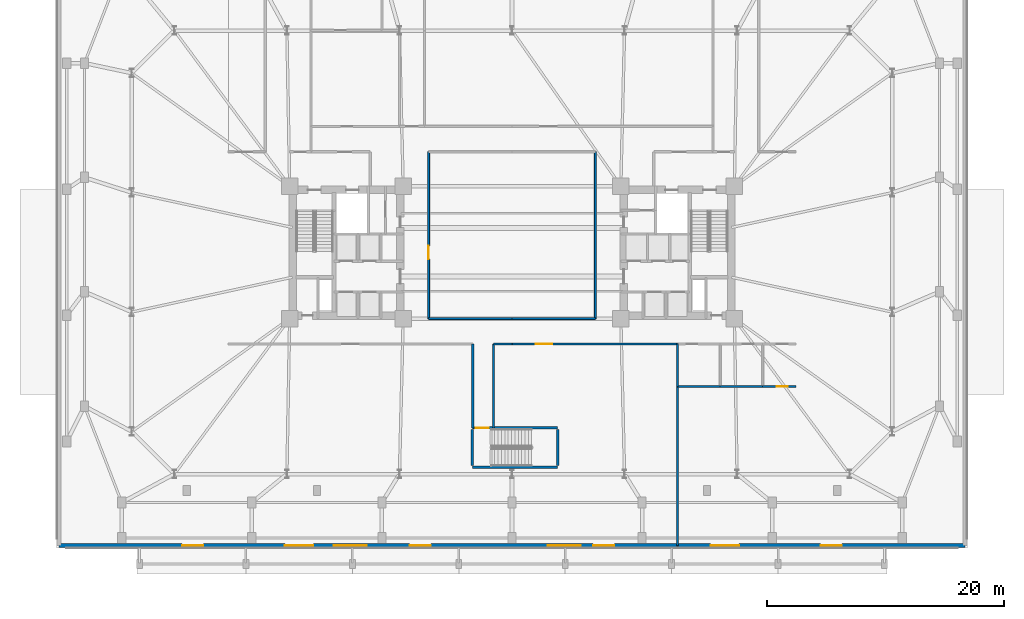
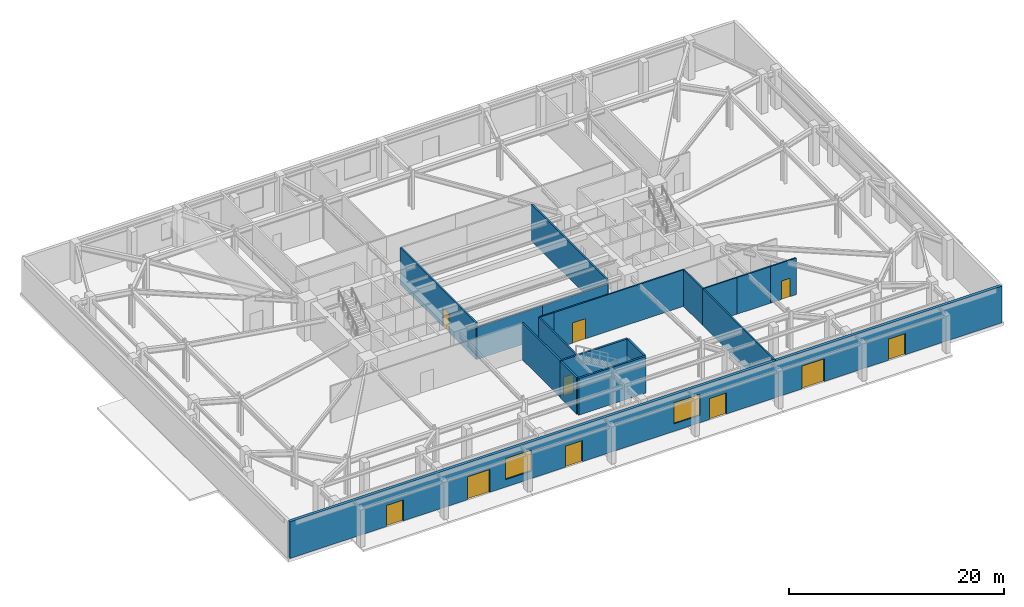
# One storey, part 9 of 18: 18 walls, 10 doors, 2 windows, 12 openings.
"""IFC4 building model written with IfcOpenShell, lengths in metres."""

from ifc_helpers import new_model, si_unit, direction, frame, frame_2d, origin, place, context, subcontext, project, spatial, rectangle, extrude, material, layer, layer_set, type_object, element, fill, save


model = new_model("IFC4")

# Units and contexts
model_context = context("Model", 3, precision=1e-05, world=origin(), true_north=direction((0.0, 1.0)))
body_context = subcontext(model_context, "Body", "Model", "MODEL_VIEW")
ifc_project = project(units=[si_unit("LENGTHUNIT", "METRE"), si_unit("AREAUNIT", "SQUARE_METRE"), si_unit("VOLUMEUNIT", "CUBIC_METRE"), si_unit("PLANEANGLEUNIT", "RADIAN"), si_unit("MASSUNIT", "GRAM", prefix="KILO")], contexts=[model_context])

# Site, building, storey
site_placement = place(None, origin())
site = spatial("IfcSite", under=ifc_project, at=site_placement, CompositionType="ELEMENT")
building_placement = place(site_placement, origin())
building = spatial("IfcBuilding", under=site, at=building_placement, Name="Qobustan Lattice House", CompositionType="ELEMENT")
storey_placement = place(building_placement, origin())
storey = spatial("IfcBuildingStorey", under=building, at=storey_placement, Name="L00", CompositionType="ELEMENT", Elevation=0.0)

# Wall, openings, doors, windows
ifc_material_1 = material(Name="Precast concrete C40/50", Category="concrete")
ifc_layer_1 = layer(ifc_material_1, 0.320068359375)
ifc_layer_set_1 = layer_set([ifc_layer_1], Name="Precast concrete C40/50")
wall_type_1 = type_object("IfcWallType", Name="WAL-EXT-STONE-320", PredefinedType="SOLIDWALL", material=ifc_layer_set_1)
wall_1_placement = place(storey_placement, frame((38.300048828125, -24.800048828125, 0.0), z_axis=(0.0, 0.0, 1.0), x_axis=(-1.0, 0.0, 0.0)))
wall_1 = element("IfcWall", 1, at=wall_1_placement, inside=storey, type_object=wall_type_1, Name="L00 exterior limestone-clad wall 4", PredefinedType="SOLIDWALL", context=body_context, shape_type="SweptSolid", body=[
    extrude(rectangle(XDim=76.60009765625, YDim=0.320068359375, at=frame_2d((38.300048828125, 0.0))), origin(), (0.0, 0.0, 1.0), 4.169921875),
])
opening_1_placement = place(wall_1_placement, frame((64.39990234375, 0.0, 0.0)))
opening_1 = element("IfcOpeningElement", 2, at=opening_1_placement, cuts=wall_1, Name="Opening ED-01", PredefinedType="OPENING", context=body_context, shape_type="SweptSolid", body=[
    extrude(rectangle(XDim=1.800048828125, YDim=2.39990234375, at=frame_2d((0.89990234375, 1.199951171875))), frame((0.0, 0.169921875, 0.0), z_axis=(0.0, -1.0, 0.0), x_axis=(1.0, 0.0, 0.0)), (0.0, 0.0, 1.0), 0.340087890625),
])
opening_2_placement = place(wall_1_placement, frame((45.14990234375, 0.0, 0.0)))
opening_2 = element("IfcOpeningElement", 3, at=opening_2_placement, cuts=wall_1, Name="Opening ED-01", PredefinedType="OPENING", context=body_context, shape_type="SweptSolid", body=[
    extrude(rectangle(XDim=1.800048828125, YDim=2.39990234375, at=frame_2d((0.89990234375, 1.199951171875))), frame((0.0, 0.169921875, 0.0), z_axis=(0.0, -1.0, 0.0), x_axis=(1.0, 0.0, 0.0)), (0.0, 0.0, 1.0), 0.340087890625),
])
opening_3_placement = place(wall_1_placement, frame((29.64990234375, 0.0, 0.0)))
opening_3 = element("IfcOpeningElement", 4, at=opening_3_placement, cuts=wall_1, Name="Opening ED-01", PredefinedType="OPENING", context=body_context, shape_type="SweptSolid", body=[
    extrude(rectangle(XDim=1.800048828125, YDim=2.39990234375, at=frame_2d((0.89990234375, 1.199951171875))), frame((0.0, 0.169921875, 0.0), z_axis=(0.0, -1.0, 0.0), x_axis=(1.0, 0.0, 0.0)), (0.0, 0.0, 1.0), 0.340087890625),
])
opening_4_placement = place(wall_1_placement, frame((10.39990234375, 0.0, 0.0)))
opening_4 = element("IfcOpeningElement", 5, at=opening_4_placement, cuts=wall_1, Name="Opening ED-01", PredefinedType="OPENING", context=body_context, shape_type="SweptSolid", body=[
    extrude(rectangle(XDim=1.800048828125, YDim=2.39990234375, at=frame_2d((0.89990234375, 1.199951171875))), frame((0.0, 0.169921875, 0.0), z_axis=(0.0, -1.0, 0.0), x_axis=(1.0, 0.0, 0.0)), (0.0, 0.0, 1.0), 0.340087890625),
])
opening_5_placement = place(wall_1_placement, frame((55.10009765625, 0.0, 0.0)))
opening_5 = element("IfcOpeningElement", 6, at=opening_5_placement, cuts=wall_1, Name="Opening CD-01", PredefinedType="OPENING", context=body_context, shape_type="SweptSolid", body=[
    extrude(rectangle(XDim=2.39990234375, YDim=2.60009765625, at=frame_2d((1.199951171875, 1.300048828125))), frame((0.0, 0.169921875, 0.0), z_axis=(0.0, -1.0, 0.0), x_axis=(1.0, 0.0, 0.0)), (0.0, 0.0, 1.0), 0.340087890625),
])
opening_6_placement = place(wall_1_placement, frame((19.10009765625, 0.0, 0.0)))
opening_6 = element("IfcOpeningElement", 7, at=opening_6_placement, cuts=wall_1, Name="Opening CD-01", PredefinedType="OPENING", context=body_context, shape_type="SweptSolid", body=[
    extrude(rectangle(XDim=2.39990234375, YDim=2.60009765625, at=frame_2d((1.199951171875, 1.300048828125))), frame((0.0, 0.169921875, 0.0), z_axis=(0.0, -1.0, 0.0), x_axis=(1.0, 0.0, 0.0)), (0.0, 0.0, 1.0), 0.340087890625),
])
opening_7_placement = place(wall_1_placement, frame((32.470947265625, 0.0, 0.85009765625)))
opening_7 = element("IfcOpeningElement", 8, at=opening_7_placement, cuts=wall_1, Name="Opening WN-17", PredefinedType="OPENING", context=body_context, shape_type="SweptSolid", body=[
    extrude(rectangle(XDim=2.800048828125, YDim=2.39990234375, at=frame_2d((1.39990234375, 1.199951171875))), frame((0.0, 0.169921875, 0.0), z_axis=(0.0, -1.0, 0.0), x_axis=(1.0, 0.0, 0.0)), (0.0, 0.0, 1.0), 0.340087890625),
])
opening_8_placement = place(wall_1_placement, frame((50.587158203125, 0.0, 0.85009765625)))
opening_8 = element("IfcOpeningElement", 9, at=opening_8_placement, cuts=wall_1, Name="Opening WN-17", PredefinedType="OPENING", context=body_context, shape_type="SweptSolid", body=[
    extrude(rectangle(XDim=2.800048828125, YDim=2.39990234375, at=frame_2d((1.39990234375, 1.199951171875))), frame((0.0, 0.169921875, 0.0), z_axis=(0.0, -1.0, 0.0), x_axis=(1.0, 0.0, 0.0)), (0.0, 0.0, 1.0), 0.340087890625),
])
ifc_material_2 = material(Name="Thermally broken anodised aluminium glazed door", Category="aluminium")
door_type_1 = type_object("IfcDoorType", Name="DOR-COL-2400x2600", OperationType="NOTDEFINED", PredefinedType="DOOR", material=ifc_material_2)
door_1_placement = place(opening_5_placement, origin())
door_1 = element("IfcDoor", 10, at=door_1_placement, inside=storey, type_object=door_type_1, Name="L00 south colonnade portal door CD-S1", OperationType="DOUBLE_DOOR_SINGLE_SWING", OverallHeight=2.60009765625, OverallWidth=2.39990234375, PredefinedType="DOOR", context=body_context, shape_type="SweptSolid", body=[
    extrude(rectangle(XDim=2.39990234375, YDim=2.60009765625, at=frame_2d((1.199951171875, 1.300048828125))), frame((0.0, 0.02490234375, 0.0), z_axis=(0.0, -1.0, 0.0), x_axis=(1.0, 0.0, 0.0)), (0.0, 0.0, 1.0), 0.050048828125),
])
fill(opening_5, door_1)
door_2_placement = place(opening_6_placement, origin())
door_2 = element("IfcDoor", 11, at=door_2_placement, inside=storey, type_object=door_type_1, Name="L00 south colonnade portal door CD-S3", OperationType="DOUBLE_DOOR_SINGLE_SWING", OverallHeight=2.60009765625, OverallWidth=2.39990234375, PredefinedType="DOOR", context=body_context, shape_type="SweptSolid", body=[
    extrude(rectangle(XDim=2.39990234375, YDim=2.60009765625, at=frame_2d((1.199951171875, 1.300048828125))), frame((0.0, 0.02490234375, 0.0), z_axis=(0.0, -1.0, 0.0), x_axis=(1.0, 0.0, 0.0)), (0.0, 0.0, 1.0), 0.050048828125),
])
fill(opening_6, door_2)
ifc_material_3 = material(Name="Thermally broken anodised aluminium glazed door", Category="aluminium")
door_type_2 = type_object("IfcDoorType", Name="DOR-EXT-EXIT-1800x2400", OperationType="NOTDEFINED", PredefinedType="DOOR", material=ifc_material_3)
door_3_placement = place(opening_1_placement, origin())
door_3 = element("IfcDoor", 12, at=door_3_placement, inside=storey, type_object=door_type_2, Name="L00 south final exit door ED-S1", OperationType="DOUBLE_DOOR_SINGLE_SWING", OverallHeight=2.39990234375, OverallWidth=1.800048828125, PredefinedType="DOOR", context=body_context, shape_type="SweptSolid", body=[
    extrude(rectangle(XDim=1.800048828125, YDim=2.39990234375, at=frame_2d((0.89990234375, 1.199951171875))), frame((0.0, 0.02490234375, 0.0), z_axis=(0.0, -1.0, 0.0), x_axis=(1.0, 0.0, 0.0)), (0.0, 0.0, 1.0), 0.050048828125),
])
fill(opening_1, door_3)
door_4_placement = place(opening_2_placement, origin())
door_4 = element("IfcDoor", 13, at=door_4_placement, inside=storey, type_object=door_type_2, Name="L00 south final exit door ED-S2", OperationType="DOUBLE_DOOR_SINGLE_SWING", OverallHeight=2.39990234375, OverallWidth=1.800048828125, PredefinedType="DOOR", context=body_context, shape_type="SweptSolid", body=[
    extrude(rectangle(XDim=1.800048828125, YDim=2.39990234375, at=frame_2d((0.89990234375, 1.199951171875))), frame((0.0, 0.02490234375, 0.0), z_axis=(0.0, -1.0, 0.0), x_axis=(1.0, 0.0, 0.0)), (0.0, 0.0, 1.0), 0.050048828125),
])
fill(opening_2, door_4)
door_5_placement = place(opening_3_placement, origin())
door_5 = element("IfcDoor", 14, at=door_5_placement, inside=storey, type_object=door_type_2, Name="L00 south final exit door ED-S3", OperationType="DOUBLE_DOOR_SINGLE_SWING", OverallHeight=2.39990234375, OverallWidth=1.800048828125, PredefinedType="DOOR", context=body_context, shape_type="SweptSolid", body=[
    extrude(rectangle(XDim=1.800048828125, YDim=2.39990234375, at=frame_2d((0.89990234375, 1.199951171875))), frame((0.0, 0.02490234375, 0.0), z_axis=(0.0, -1.0, 0.0), x_axis=(1.0, 0.0, 0.0)), (0.0, 0.0, 1.0), 0.050048828125),
])
fill(opening_3, door_5)
door_6_placement = place(opening_4_placement, origin())
door_6 = element("IfcDoor", 15, at=door_6_placement, inside=storey, type_object=door_type_2, Name="L00 south final exit door ED-S4", OperationType="DOUBLE_DOOR_SINGLE_SWING", OverallHeight=2.39990234375, OverallWidth=1.800048828125, PredefinedType="DOOR", context=body_context, shape_type="SweptSolid", body=[
    extrude(rectangle(XDim=1.800048828125, YDim=2.39990234375, at=frame_2d((0.89990234375, 1.199951171875))), frame((0.0, 0.02490234375, 0.0), z_axis=(0.0, -1.0, 0.0), x_axis=(1.0, 0.0, 0.0)), (0.0, 0.0, 1.0), 0.050048828125),
])
fill(opening_4, door_6)
ifc_material_4 = material(Name="Double-glazed low-E aluminium window", Category="aluminium")
window_type = type_object("IfcWindowType", Name="WIN-POD-2800x2400", PartitioningType="SINGLE_PANEL", PredefinedType="WINDOW", material=ifc_material_4)
window_1_placement = place(opening_7_placement, origin())
window_1 = element("IfcWindow", 16, at=window_1_placement, inside=storey, type_object=window_type, Name="L00 Main entrance colonnade foyer window", OverallHeight=2.39990234375, OverallWidth=2.800048828125, PartitioningType="SINGLE_PANEL", PredefinedType="WINDOW", context=body_context, shape_type="SweptSolid", body=[
    extrude(rectangle(XDim=2.800048828125, YDim=2.39990234375, at=frame_2d((1.39990234375, 1.199951171875))), frame((0.0, 0.030029296875, 0.0), z_axis=(0.0, -1.0, 0.0), x_axis=(1.0, 0.0, 0.0)), (0.0, 0.0, 1.0), 0.06005859375),
])
fill(opening_7, window_1)
window_2_placement = place(opening_8_placement, origin())
window_2 = element("IfcWindow", 17, at=window_2_placement, inside=storey, type_object=window_type, Name="L00 West entrance colonnade foyer window", OverallHeight=2.39990234375, OverallWidth=2.800048828125, PartitioningType="SINGLE_PANEL", PredefinedType="WINDOW", context=body_context, shape_type="SweptSolid", body=[
    extrude(rectangle(XDim=2.800048828125, YDim=2.39990234375, at=frame_2d((1.39990234375, 1.199951171875))), frame((0.0, 0.030029296875, 0.0), z_axis=(0.0, -1.0, 0.0), x_axis=(1.0, 0.0, 0.0)), (0.0, 0.0, 1.0), 0.06005859375),
])
fill(opening_8, window_2)

# Walls
ifc_material_5 = material(Name="Gypsum fireboard acoustic partition", Category="gypsum")
ifc_layer_2 = layer(ifc_material_5, 0.179931640625)
ifc_layer_set_2 = layer_set([ifc_layer_2], Name="Gypsum fireboard acoustic partition")
wall_type_2 = type_object("IfcWallType", Name="WAL-FIRE-180", PredefinedType="PARTITIONING", material=ifc_layer_set_2)
for number, where, z_axis, x_axis, name in (
    (18, (-3.320068359375, -14.860107421875, 0.0), (0.0, 0.0, 1.0), (0.0, 1.0, 0.0), "L00 interior partition 61"),
    (19, (-1.550048828125, -7.75, 0.0), (0.0, 0.0, 1.0), (0.0, -1.0, 0.0), "L00 interior partition 62"),
):
    element("IfcWall", number, at=place(storey_placement, frame(where, z_axis=z_axis, x_axis=x_axis)), inside=storey, type_object=wall_type_2, Name=name, PredefinedType="PARTITIONING", context=body_context, shape_type="SweptSolid", body=[
        extrude(rectangle(XDim=7.110107421875, YDim=0.179931640625, at=frame_2d((3.55517578125, 0.0))), origin(), (0.0, 0.0, 1.0), 4.169921875),
    ])
ifc_material_6 = material(Name="Acoustic twin-stud gypsum partition", Category="gypsum")
ifc_layer_3 = layer(ifc_material_6, 0.14990234375)
ifc_layer_set_3 = layer_set([ifc_layer_3], Name="Acoustic twin-stud gypsum partition")
wall_type_3 = type_object("IfcWallType", Name="WAL-PART-150", PredefinedType="PARTITIONING", material=ifc_layer_set_3)
wall_2_placement = place(storey_placement, frame((0.0, -7.75, 0.0), z_axis=(0.0, 0.0, 1.0), x_axis=(-1.0, 0.0, 0.0)))
element("IfcWall", 20, at=wall_2_placement, inside=storey, type_object=wall_type_3, Name="L00 interior partition 52", PredefinedType="PARTITIONING", context=body_context, shape_type="SweptSolid", body=[
    extrude(rectangle(XDim=1.550048828125, YDim=0.14990234375, at=frame_2d((0.77490234375, 0.0))), origin(), (0.0, 0.0, 1.0), 4.169921875),
])

# Wall, opening, door
wall_3_placement = place(storey_placement, frame((14.0, -7.75, 0.0), z_axis=(0.0, 0.0, 1.0), x_axis=(-1.0, 0.0, 0.0)))
wall_3 = element("IfcWall", 21, at=wall_3_placement, inside=storey, type_object=wall_type_3, Name="L00 interior partition 54", PredefinedType="PARTITIONING", context=body_context, shape_type="SweptSolid", body=[
    extrude(rectangle(XDim=14.0, YDim=0.14990234375, at=frame_2d((7.0, 0.0))), origin(), (0.0, 0.0, 1.0), 4.169921875),
])
opening_9_placement = place(wall_3_placement, frame((10.590087890625, 0.0, 0.0)))
opening_9 = element("IfcOpeningElement", 22, at=opening_9_placement, cuts=wall_3, Name="Opening ID-04", PredefinedType="OPENING", context=body_context, shape_type="SweptSolid", body=[
    extrude(rectangle(XDim=1.39990234375, YDim=2.300048828125, at=frame_2d((0.699951171875, 1.14990234375))), frame((0.0, 0.0849609375, 0.0), z_axis=(0.0, -1.0, 0.0), x_axis=(1.0, 0.0, 0.0)), (0.0, 0.0, 1.0), 0.169921875),
])
ifc_material_7 = material(Name="Persian walnut timber and steel frame door", Category="steel")
door_type_3 = type_object("IfcDoorType", Name="DOR-POD-1400x2300", OperationType="NOTDEFINED", PredefinedType="DOOR", material=ifc_material_7)
door_7_placement = place(opening_9_placement, origin())
door_7 = element("IfcDoor", 23, at=door_7_placement, inside=storey, type_object=door_type_3, Name="L00 South-east podium corridor to Main entrance colonnade foyer door", OperationType="SINGLE_SWING_RIGHT", OverallHeight=2.300048828125, OverallWidth=1.39990234375, PredefinedType="DOOR", context=body_context, shape_type="SweptSolid", body=[
    extrude(rectangle(XDim=1.39990234375, YDim=2.300048828125, at=frame_2d((0.699951171875, 1.14990234375))), frame((0.0, 0.02490234375, 0.0), z_axis=(0.0, -1.0, 0.0), x_axis=(1.0, 0.0, 0.0)), (0.0, 0.0, 1.0), 0.050048828125),
])
fill(opening_9, door_7)

# Wall
wall_4_placement = place(storey_placement, frame((14.0, -11.35009765625, 0.0), z_axis=(0.0, 0.0, 1.0), x_axis=(0.0, -1.0, 0.0)))
element("IfcWall", 24, at=wall_4_placement, inside=storey, type_object=wall_type_3, Name="L00 interior partition 72", PredefinedType="PARTITIONING", context=body_context, shape_type="SweptSolid", body=[
    extrude(rectangle(XDim=13.449951171875, YDim=0.14990234375, at=frame_2d((6.72509765625, 0.0))), origin(), (0.0, 0.0, 1.0), 4.169921875),
])

# Wall, opening, door
wall_5_placement = place(storey_placement, frame((24.0, -11.35009765625, 0.0), z_axis=(0.0, 0.0, 1.0), x_axis=(-1.0, 0.0, 0.0)))
wall_5 = element("IfcWall", 25, at=wall_5_placement, inside=storey, type_object=wall_type_3, Name="L00 interior partition 77", PredefinedType="PARTITIONING", context=body_context, shape_type="SweptSolid", body=[
    extrude(rectangle(XDim=2.800048828125, YDim=0.14990234375, at=frame_2d((1.39990234375, 0.0))), origin(), (0.0, 0.0, 1.0), 4.169921875),
])
opening_10_placement = place(wall_5_placement, frame((0.666259765625, 0.0, 0.0)))
opening_10 = element("IfcOpeningElement", 26, at=opening_10_placement, cuts=wall_5, Name="Opening ID-01", PredefinedType="OPENING", context=body_context, shape_type="SweptSolid", body=[
    extrude(rectangle(XDim=0.949951171875, YDim=2.10009765625, at=frame_2d((0.47509765625, 1.050048828125))), frame((0.0, 0.0849609375, 0.0), z_axis=(0.0, -1.0, 0.0), x_axis=(1.0, 0.0, 0.0)), (0.0, 0.0, 1.0), 0.169921875),
])
ifc_material_8 = material(Name="Persian walnut timber and steel frame door", Category="steel")
door_type_4 = type_object("IfcDoorType", Name="DOR-ROOM-950x2100", OperationType="NOTDEFINED", PredefinedType="DOOR", material=ifc_material_8)
door_8_placement = place(opening_10_placement, origin())
door_8 = element("IfcDoor", 27, at=door_8_placement, inside=storey, type_object=door_type_4, Name="L00 Janitor supply store to Equipment and archive store door", OperationType="SINGLE_SWING_RIGHT", OverallHeight=2.10009765625, OverallWidth=0.949951171875, PredefinedType="DOOR", context=body_context, shape_type="SweptSolid", body=[
    extrude(rectangle(XDim=0.949951171875, YDim=2.10009765625, at=frame_2d((0.47509765625, 1.050048828125))), frame((0.0, 0.02490234375, 0.0), z_axis=(0.0, -1.0, 0.0), x_axis=(1.0, 0.0, 0.0)), (0.0, 0.0, 1.0), 0.050048828125),
])
fill(opening_10, door_8)

# Walls
ifc_material_9 = material(Name="High-mass acoustic twin-stud partition", Category="gypsum")
ifc_layer_4 = layer(ifc_material_9, 0.1650390625)
ifc_layer_set_4 = layer_set([ifc_layer_4], Name="High-mass acoustic twin-stud partition")
wall_type_4 = type_object("IfcWallType", Name="WAL-PART-165", PredefinedType="PARTITIONING", material=ifc_layer_set_4)
for number, where, z_axis, x_axis, name in (
    (28, (-7.050048828125, -5.60009765625, 0.0), (0.0, 0.0, 1.0), (1.0, 0.0, 0.0), "L00 interior partition 53"),
    (29, (0.0, -5.60009765625, 0.0), (0.0, 0.0, 1.0), (1.0, 0.0, 0.0), "L00 interior partition 58"),
):
    element("IfcWall", number, at=place(storey_placement, frame(where, z_axis=z_axis, x_axis=x_axis)), inside=storey, type_object=wall_type_4, Name=name, PredefinedType="PARTITIONING", context=body_context, shape_type="SweptSolid", body=[
        extrude(rectangle(XDim=7.050048828125, YDim=0.1650390625, at=frame_2d((3.52490234375, 0.0))), origin(), (0.0, 0.0, 1.0), 3.655029296875),
    ])

# Wall, opening, door
wall_6_placement = place(storey_placement, frame((-7.050048828125, 8.5, 0.0), z_axis=(0.0, 0.0, 1.0), x_axis=(0.0, -1.0, 0.0)))
wall_6 = element("IfcWall", 30, at=wall_6_placement, inside=storey, type_object=wall_type_4, Name="L00 interior partition 59", PredefinedType="PARTITIONING", context=body_context, shape_type="SweptSolid", body=[
    extrude(rectangle(XDim=14.10009765625, YDim=0.1650390625, at=frame_2d((7.050048828125, 0.0))), origin(), (0.0, 0.0, 1.0), 4.169921875),
])
opening_11_placement = place(wall_6_placement, frame((7.94873046875, 0.0, 0.0)))
opening_11 = element("IfcOpeningElement", 31, at=opening_11_placement, cuts=wall_6, Name="Opening ID-03", PredefinedType="OPENING", context=body_context, shape_type="SweptSolid", body=[
    extrude(rectangle(XDim=1.14990234375, YDim=2.14990234375, at=frame_2d((0.574951171875, 1.074951171875))), frame((0.0, 0.092529296875, 0.0), z_axis=(0.0, -1.0, 0.0), x_axis=(1.0, 0.0, 0.0)), (0.0, 0.0, 1.0), 0.18505859375),
])
ifc_material_10 = material(Name="Persian walnut timber and steel frame door", Category="steel")
door_type_5 = type_object("IfcDoorType", Name="DOR-KITCH-1150x2150", OperationType="NOTDEFINED", PredefinedType="DOOR", material=ifc_material_10)
door_9_placement = place(opening_11_placement, origin())
door_9 = element("IfcDoor", 32, at=door_9_placement, inside=storey, type_object=door_type_5, Name="L00 West podium link corridor to Refectory commercial kitchen door", OperationType="SINGLE_SWING_RIGHT", OverallHeight=2.14990234375, OverallWidth=1.14990234375, PredefinedType="DOOR", context=body_context, shape_type="SweptSolid", body=[
    extrude(rectangle(XDim=1.14990234375, YDim=2.14990234375, at=frame_2d((0.574951171875, 1.074951171875))), frame((0.0, 0.02490234375, 0.0), z_axis=(0.0, -1.0, 0.0), x_axis=(1.0, 0.0, 0.0)), (0.0, 0.0, 1.0), 0.050048828125),
])
fill(opening_11, door_9)

# Wall
wall_7_placement = place(storey_placement, frame((7.050048828125, -5.60009765625, 0.0), z_axis=(0.0, 0.0, 1.0), x_axis=(0.0, 1.0, 0.0)))
element("IfcWall", 33, at=wall_7_placement, inside=storey, type_object=wall_type_4, Name="L00 interior partition 60", PredefinedType="PARTITIONING", context=body_context, shape_type="SweptSolid", body=[
    extrude(rectangle(XDim=14.10009765625, YDim=0.1650390625, at=frame_2d((7.050048828125, 0.0))), origin(), (0.0, 0.0, 1.0), 4.169921875),
])

# Wall, opening, door
ifc_material_11 = material(Name="Concrete C40/50", Category="concrete")
ifc_layer_5 = layer(ifc_material_11, 0.199951171875)
ifc_layer_set_5 = layer_set([ifc_layer_5], Name="Concrete C40/50")
wall_type_5 = type_object("IfcWallType", Name="WAL-SHAFT-LB-200", PredefinedType="SHEAR", material=ifc_layer_set_5)
wall_8_placement = place(storey_placement, frame((3.860107421875, -14.840087890625, 0.0), z_axis=(0.0, 0.0, 1.0), x_axis=(-1.0, 0.0, 0.0)))
wall_8 = element("IfcWall", 34, at=wall_8_placement, inside=storey, type_object=wall_type_5, Name="L00 podium stair ST-P1 RC shaft wall STP-N", PredefinedType="SHEAR", context=body_context, shape_type="SweptSolid", body=[
    extrude(rectangle(XDim=7.22021484375, YDim=0.199951171875, at=frame_2d((3.610107421875, 0.0))), origin(), (0.0, 0.0, 1.0), 4.169921875),
])
opening_12_placement = place(wall_8_placement, frame((5.81005859375, 0.0, 0.0)))
opening_12 = element("IfcOpeningElement", 35, at=opening_12_placement, cuts=wall_8, Name="Opening SD-01", PredefinedType="OPENING", context=body_context, shape_type="SweptSolid", body=[
    extrude(rectangle(XDim=1.10009765625, YDim=2.14990234375, at=frame_2d((0.550048828125, 1.074951171875))), frame((0.0, 0.10986328125, 0.0), z_axis=(0.0, -1.0, 0.0), x_axis=(1.0, 0.0, 0.0)), (0.0, 0.0, 1.0), 0.219970703125),
])
ifc_material_12 = material(Name="Persian walnut timber and steel frame door", Category="steel")
door_type_6 = type_object("IfcDoorType", Name="DOR-STAIR-FD-1100x2150", OperationType="NOTDEFINED", PredefinedType="DOOR", material=ifc_material_12)
door_10_placement = place(opening_12_placement, origin())
door_10 = element("IfcDoor", 36, at=door_10_placement, inside=storey, type_object=door_type_6, Name="L00 podium stair ST-P1 fire door", OperationType="SINGLE_SWING_LEFT", OverallHeight=2.14990234375, OverallWidth=1.10009765625, PredefinedType="DOOR", context=body_context, shape_type="SweptSolid", body=[
    extrude(rectangle(XDim=1.10009765625, YDim=2.14990234375, at=frame_2d((0.550048828125, 1.074951171875))), frame((0.0, 0.02490234375, 0.0), z_axis=(0.0, -1.0, 0.0), x_axis=(1.0, 0.0, 0.0)), (0.0, 0.0, 1.0), 0.050048828125),
])
fill(opening_12, door_10)

# Walls
wall_9_placement = place(storey_placement, frame((-3.360107421875, -18.159912109375, 0.0), z_axis=(0.0, 0.0, 1.0), x_axis=(1.0, 0.0, 0.0)))
element("IfcWall", 37, at=wall_9_placement, inside=storey, type_object=wall_type_5, Name="L00 podium stair ST-P1 RC shaft wall STP-S", PredefinedType="SHEAR", context=body_context, shape_type="SweptSolid", body=[
    extrude(rectangle(XDim=7.22021484375, YDim=0.199951171875, at=frame_2d((3.610107421875, 0.0))), origin(), (0.0, 0.0, 1.0), 4.169921875),
])
for number, where, z_axis, x_axis, name in (
    (38, (-3.360107421875, -18.0400390625, 0.0), (0.0, 0.0, 1.0), (0.0, 1.0, 0.0), "L00 podium stair ST-P1 RC shaft wall STP-W"),
    (39, (3.860107421875, -18.0400390625, 0.0), (0.0, 0.0, 1.0), (0.0, 1.0, 0.0), "L00 podium stair ST-P1 RC shaft wall STP-E"),
):
    element("IfcWall", number, at=place(storey_placement, frame(where, z_axis=z_axis, x_axis=x_axis)), inside=storey, type_object=wall_type_5, Name=name, PredefinedType="SHEAR", context=body_context, shape_type="SweptSolid", body=[
        extrude(rectangle(XDim=3.080078125, YDim=0.199951171875, at=frame_2d((1.5400390625, 0.0))), origin(), (0.0, 0.0, 1.0), 4.169921875),
    ])
ifc_material_13 = material(Name="Moisture-resistant acoustic plumbing wall", Category="gypsum")
ifc_layer_6 = layer(ifc_material_13, 0.14990234375)
ifc_layer_set_6 = layer_set([ifc_layer_6], Name="Moisture-resistant acoustic plumbing wall")
wall_type_6 = type_object("IfcWallType", Name="WAL-WET-150", PredefinedType="PLUMBINGWALL", material=ifc_layer_set_6)
for number, where, z_axis, x_axis, name in (
    (40, (14.0, -7.75, 0.0), (0.0, 0.0, 1.0), (0.0, -1.0, 0.0), "L00 interior partition 71"),
    (41, (17.60009765625, -11.35009765625, 0.0), (0.0, 0.0, 1.0), (-1.0, 0.0, 0.0), "L00 interior partition 74"),
):
    element("IfcWall", number, at=place(storey_placement, frame(where, z_axis=z_axis, x_axis=x_axis)), inside=storey, type_object=wall_type_6, Name=name, PredefinedType="PLUMBINGWALL", context=body_context, shape_type="SweptSolid", body=[
        extrude(rectangle(XDim=3.60009765625, YDim=0.14990234375, at=frame_2d((1.800048828125, 0.0))), origin(), (0.0, 0.0, 1.0), 4.169921875),
    ])
wall_10_placement = place(storey_placement, frame((21.199951171875, -11.35009765625, 0.0), z_axis=(0.0, 0.0, 1.0), x_axis=(-1.0, 0.0, 0.0)))
element("IfcWall", 42, at=wall_10_placement, inside=storey, type_object=wall_type_6, Name="L00 interior partition 76", PredefinedType="PLUMBINGWALL", context=body_context, shape_type="SweptSolid", body=[
    extrude(rectangle(XDim=3.599853515625, YDim=0.14990234375, at=frame_2d((1.7998046875, 0.0))), origin(), (0.0, 0.0, 1.0), 4.169921875),
])

save(model, "model.ifc")
